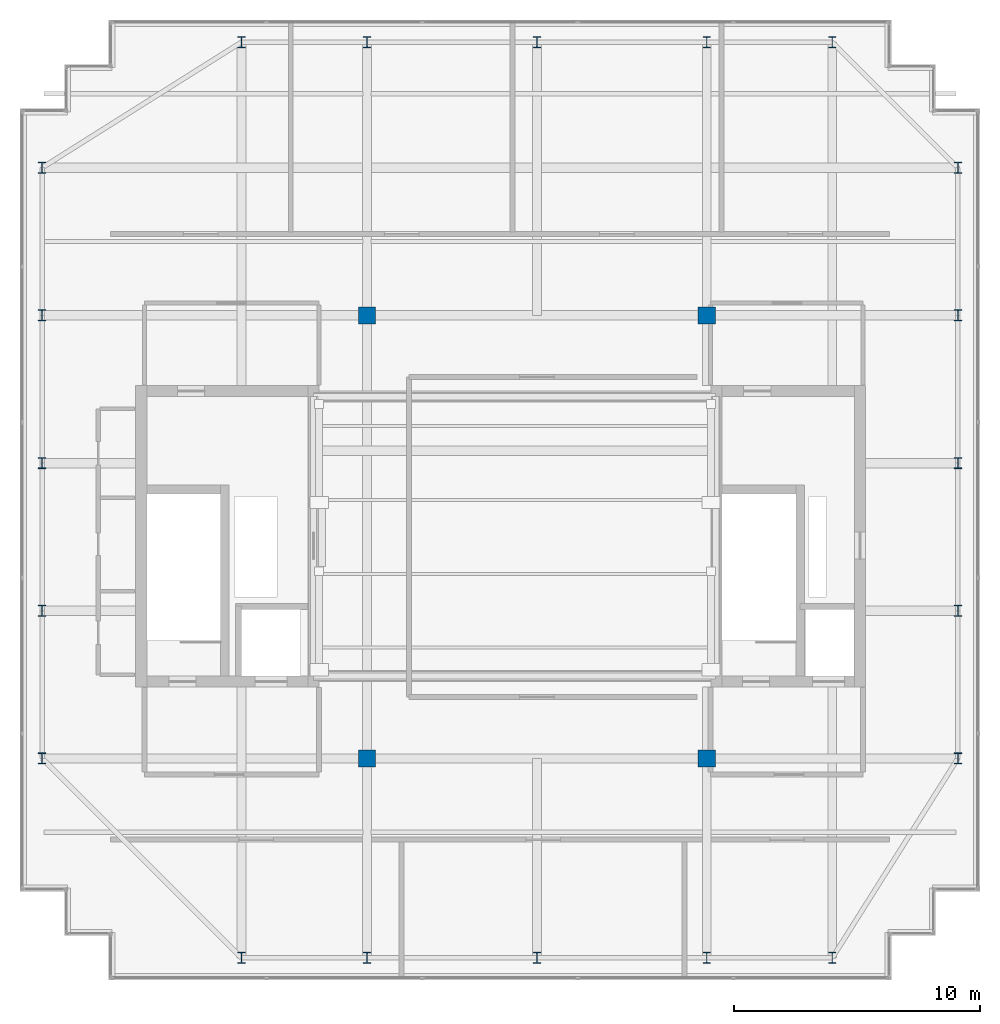
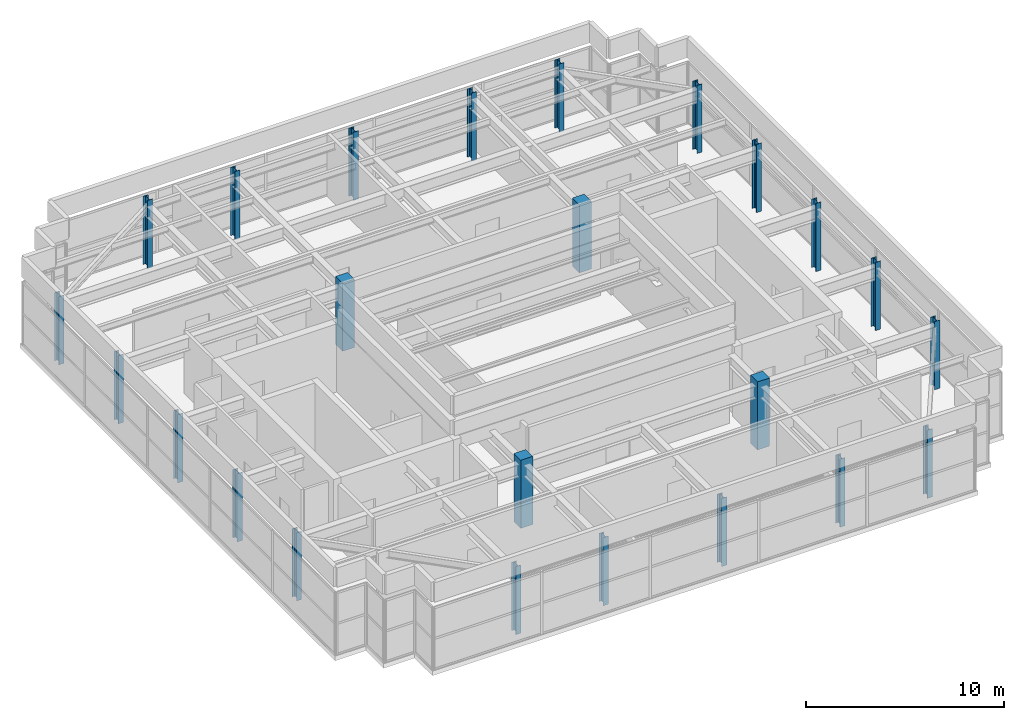
# One storey, part 1 of 33: 24 columns.
"""IFC4 building model written with IfcOpenShell, lengths in metres."""

import ifcopenshell
import ifcopenshell.guid

model = None  # the IFC model being written
_history = None  # IfcOwnerHistory: only IFC2X3 demands one
_inside = {}  # id of a spatial element -> (the spatial element, [elements in it])
_under = {}  # id of a project, library or spatial element -> (it, [spatial elements below it])
_declared = {}  # id of a project -> (the project, [libraries it declares])
_typed = {}  # id of a type object -> (the type object, [elements of that type])
_made_of = {}  # id of a material, layer set ... -> (it, [elements and type objects made of it])


def new_model(schema):
    """Start an empty IFC model of exactly this schema.

    Asked for "IFC4X3", IfcOpenShell would pick the latest addendum, in which some entities
    have other attributes; the version numbers below select the first issue.
    IFC2X3 requires an IfcOwnerHistory on every rooted entity: one is made here for all.
    """
    global model, _history
    if schema == "IFC4X3":
        model = ifcopenshell.file(schema_version=(4, 3, 0, 0))
    else:
        model = ifcopenshell.file(schema=schema)
    _inside.clear()
    _under.clear()
    _declared.clear()
    _typed.clear()
    _made_of.clear()
    _history = None
    if model.schema == "IFC2X3":
        org = make("IfcOrganization", Name="unknown")
        user = make(
            "IfcPersonAndOrganization",
            ThePerson=make("IfcPerson", FamilyName="unknown"),
            TheOrganization=org,
        )
        app = make(
            "IfcApplication",
            ApplicationDeveloper=org,
            Version="unknown",
            ApplicationFullName="unknown",
            ApplicationIdentifier="unknown",
        )
        _history = make(
            "IfcOwnerHistory",
            OwningUser=user,
            OwningApplication=app,
            ChangeAction="ADDED",
            CreationDate=0,
        )
    return model


def make(cls, **values):
    """One entity of the class cls with the attributes given. An attribute that is None is left unset."""
    return model.create_entity(
        cls, **{name: value for name, value in values.items() if value is not None}
    )


def rooted(cls, **values):
    """An entity with a GlobalId (a new one), such as an element, a storey or a relation."""
    return make(cls, GlobalId=ifcopenshell.guid.new(), OwnerHistory=_history, **values)


def si_unit(unit_type, name, prefix=None):
    """IfcSIUnit, for example si_unit("LENGTHUNIT", "METRE", prefix="MILLI")."""
    return make("IfcSIUnit", UnitType=unit_type, Prefix=prefix, Name=name)


def assignment(units):
    """IfcUnitAssignment: the units of a project."""
    return None if units is None else make("IfcUnitAssignment", Units=units)


def point(xyz):
    """IfcCartesianPoint."""
    return None if xyz is None else make("IfcCartesianPoint", Coordinates=xyz)


def direction(xyz):
    """IfcDirection."""
    return None if xyz is None else make("IfcDirection", DirectionRatios=xyz)


def frame(location, z_axis=None, x_axis=None):
    """IfcAxis2Placement3D, a coordinate frame: its origin and axes. An axis left out is left unset."""
    return make(
        "IfcAxis2Placement3D",
        Location=point(location),
        Axis=direction(z_axis),
        RefDirection=direction(x_axis),
    )


def frame_2d(location, x_axis=None):
    """IfcAxis2Placement2D, a coordinate frame in the plane: its origin and x axis."""
    return make(
        "IfcAxis2Placement2D", Location=point(location), RefDirection=direction(x_axis)
    )


def origin():
    """The frame at (0, 0, 0) with its axes left unset."""
    return frame((0.0, 0.0, 0.0))


def origin_2d():
    """The frame at (0, 0) in the plane with its x axis left unset."""
    return frame_2d((0.0, 0.0))


def place(relative_to, where):
    """IfcLocalPlacement: puts the frame where relative to a parent placement (None: the world)."""
    return make(
        "IfcLocalPlacement", PlacementRelTo=relative_to, RelativePlacement=where
    )


def context(
    kind, dimensions, precision=None, world=None, true_north=None, identifier=None
):
    """IfcGeometricRepresentationContext, for example the 3D "Model" context."""
    return make(
        "IfcGeometricRepresentationContext",
        ContextIdentifier=identifier,
        ContextType=kind,
        CoordinateSpaceDimension=dimensions,
        Precision=precision,
        WorldCoordinateSystem=world,
        TrueNorth=true_north,
    )


def subcontext(parent, identifier, kind, view, scale=None):
    """IfcGeometricRepresentationSubContext, for example "Body" below "Model"."""
    return make(
        "IfcGeometricRepresentationSubContext",
        ContextIdentifier=identifier,
        ContextType=kind,
        ParentContext=parent,
        TargetScale=scale,
        TargetView=view,
    )


def project(units=None, contexts=None):
    """IfcProject with its units and contexts."""
    return rooted(
        "IfcProject",
        Name="project",
        RepresentationContexts=contexts,
        UnitsInContext=assignment(units),
    )


def spatial(cls, under=None, at=None, **own):
    """A site, building, storey or space (cls), placed at a placement, below another one or the project."""
    s = rooted(cls, ObjectPlacement=at, **own)
    if under is not None:
        _under.setdefault(under.id(), (under, []))[1].append(s)
    return s


def profile(cls, at=None, kind="AREA", **sizes):
    """A parametric profile (cls). Its sizes go by their IFC names, for example OverallWidth=200.0."""
    return make(cls, ProfileType=kind, Position=at, **sizes)


def rectangle(**sizes):
    """IfcRectangleProfileDef."""
    return profile("IfcRectangleProfileDef", **sizes)


def i_section(**sizes):
    """IfcIShapeProfileDef."""
    return profile("IfcIShapeProfileDef", **sizes)


def extrude(swept, where, along, depth):
    """IfcExtrudedAreaSolid: the profile swept, set in the frame where, extruded along a direction by depth."""
    return make(
        "IfcExtrudedAreaSolid",
        SweptArea=swept,
        Position=where,
        ExtrudedDirection=direction(along),
        Depth=depth,
    )


def shape(context_of_items, identifier, shape_type, items):
    """IfcShapeRepresentation: the items that make up one representation, for example the "Body"."""
    return make(
        "IfcShapeRepresentation",
        ContextOfItems=context_of_items,
        RepresentationIdentifier=identifier,
        RepresentationType=shape_type,
        Items=items,
    )


def source(mapping_origin, context_of_items, identifier, shape_type, items):
    """IfcRepresentationMap: a shape defined once, which mapped items show again and again."""
    return make(
        "IfcRepresentationMap",
        MappingOrigin=mapping_origin,
        MappedRepresentation=shape(context_of_items, identifier, shape_type, items),
    )


def transform(
    local_origin,
    x_axis=None,
    y_axis=None,
    z_axis=None,
    scale=None,
    scale2=None,
    scale3=None,
    uniform=True,
):
    """IfcCartesianTransformationOperator3D, or its non-uniform kind. x_axis, y_axis, z_axis: its Axis1, 2, 3."""
    if uniform:
        return make(
            "IfcCartesianTransformationOperator3D",
            Axis1=direction(x_axis),
            Axis2=direction(y_axis),
            LocalOrigin=point(local_origin),
            Scale=scale,
            Axis3=direction(z_axis),
        )
    return make(
        "IfcCartesianTransformationOperator3DnonUniform",
        Axis1=direction(x_axis),
        Axis2=direction(y_axis),
        LocalOrigin=point(local_origin),
        Scale=scale,
        Axis3=direction(z_axis),
        Scale2=scale2,
        Scale3=scale3,
    )


def mapped(mapping_source, mapping_target):
    """IfcMappedItem: shows the shape of a source again, moved by a transform."""
    return make(
        "IfcMappedItem", MappingSource=mapping_source, MappingTarget=mapping_target
    )


def material(Name=None, Category=None):
    """IfcMaterial."""
    return make("IfcMaterial", Name=Name, Category=Category)


def material_profile(
    of_material, cross_section, Name=None, Category=None, Priority=None
):
    """IfcMaterialProfile: a cross section and its material."""
    return make(
        "IfcMaterialProfile",
        Name=Name,
        Material=of_material,
        Profile=cross_section,
        Priority=Priority,
        Category=Category,
    )


def profile_set(profiles, Name=None, composite=None):
    """IfcMaterialProfileSet."""
    return make(
        "IfcMaterialProfileSet",
        Name=Name,
        MaterialProfiles=profiles,
        CompositeProfile=composite,
    )


def made_of(thing, what):
    """Note that an element or type object is made of a material, layer set ...; save() writes the relation."""
    if what is not None:
        _made_of.setdefault(what.id(), (what, []))[1].append(thing)
    return thing


def type_object(cls, material=None, **own):
    """A type object (cls), such as IfcWallType, which elements share."""
    return made_of(rooted(cls, **own), material)


def element(
    cls,
    number,
    at=None,
    inside=None,
    cuts=None,
    type_object=None,
    material=None,
    context=None,
    identifier="Body",
    shape_type=None,
    held_by="IfcProductDefinitionShape",
    body=None,
    shapes=None,
    **own,
):
    """One element of the class cls, such as IfcWall. Its Tag is "e" and its number.

    at: its placement. inside: the storey or other place that contains it. cuts: it is an
    opening in that element (IfcRelVoidsElement). A single representation is given by context,
    identifier, shape_type and body (its items); several are given by shapes. held_by: the class
    of the entity that holds the representations. save() writes the other relations.
    """
    e = rooted(cls, Tag="e%d" % number, ObjectPlacement=at, **own)
    if body is not None:
        shapes = [shape(context, identifier, shape_type, body)]
    if shapes is not None:
        e.Representation = make(held_by, Representations=shapes)
    if inside is not None:
        _inside.setdefault(inside.id(), (inside, []))[1].append(e)
    if cuts is not None:
        rooted(
            "IfcRelVoidsElement", RelatingBuildingElement=cuts, RelatedOpeningElement=e
        )
    if type_object is not None:
        _typed.setdefault(type_object.id(), (type_object, []))[1].append(e)
    return made_of(e, material)


def aggregate(whole, parts):
    """IfcRelAggregates: a whole, such as a stair, and the parts it consists of."""
    return rooted("IfcRelAggregates", RelatingObject=whole, RelatedObjects=parts)


def save(model, path):
    """Write the relations noted so far, then the file.

    IfcRelAggregates (storeys below a building ...), IfcRelContainedInSpatialStructure (elements
    in a storey), IfcRelDefinesByType, IfcRelAssociatesMaterial and IfcRelDeclares: one each for
    every whole, place, type object, material and project.
    """
    for whole, parts in _under.values():
        aggregate(whole, parts)
    for where, things in _inside.values():
        rooted(
            "IfcRelContainedInSpatialStructure",
            RelatedElements=things,
            RelatingStructure=where,
        )
    for kind, things in _typed.values():
        rooted("IfcRelDefinesByType", RelatedObjects=things, RelatingType=kind)
    for what, things in _made_of.values():
        rooted("IfcRelAssociatesMaterial", RelatedObjects=things, RelatingMaterial=what)
    for by, libraries in _declared.values():
        rooted("IfcRelDeclares", RelatingContext=by, RelatedDefinitions=libraries)
    model.write(path)


model = new_model("IFC4")

# Units and contexts
model_context = context("Model", 3, precision=1e-05, world=origin(), true_north=direction((0.0, 1.0)))
body_context = subcontext(model_context, "Body", "Model", "MODEL_VIEW")
ifc_project = project(units=[si_unit("LENGTHUNIT", "METRE"), si_unit("AREAUNIT", "SQUARE_METRE"), si_unit("VOLUMEUNIT", "CUBIC_METRE"), si_unit("PLANEANGLEUNIT", "RADIAN"), si_unit("MASSUNIT", "GRAM", prefix="KILO")], contexts=[model_context])

# Site, building, storey
site_placement = place(None, origin())
site = spatial("IfcSite", under=ifc_project, at=site_placement, CompositionType="ELEMENT")
building_placement = place(site_placement, origin())
building = spatial("IfcBuilding", under=site, at=building_placement, Name="Khoralis Quay Care Tower", CompositionType="ELEMENT")
storey_placement = place(building_placement, frame((0.0, 0.0, 314.699951171875)))
storey = spatial("IfcBuildingStorey", under=building, at=storey_placement, Name="L82", CompositionType="ELEMENT", Elevation=314.699951171875)

# Columns
ifc_material_1 = material(Name="Concrete C50/60", Category="concrete")
ifc_material_profile_1 = material_profile(ifc_material_1, rectangle(XDim=0.699951171875, YDim=0.699951171875, at=origin_2d()), Name="Concrete C50/60")
ifc_profile_set_1 = profile_set([ifc_material_profile_1], Name="Concrete C50/60")
column_type_1 = type_object("IfcColumnType", Name="COL-C700", PredefinedType="COLUMN", material=ifc_profile_set_1)
shared_shape_1 = source(origin(), body_context, "Body", "SweptSolid", [
    extrude(rectangle(XDim=0.699951171875, YDim=0.699951171875, at=origin_2d()), origin(), (0.0, 0.0, 1.0), 4.199951171875),
])
for number, where, z_axis, x_axis, name in (
    (1, (17.10009765625, 12.0, 0.0), (0.0, 0.0, 1.0), (1.0, 0.0, 0.0), "COL-TWR-L82-21"),
    (2, (17.10009765625, 30.0, 0.0), (0.0, 0.0, 1.0), (1.0, 0.0, 0.0), "COL-TWR-L82-22"),
    (3, (30.89990234375, 12.0, 0.0), (0.0, 0.0, 1.0), (1.0, 0.0, 0.0), "COL-TWR-L82-23"),
    (4, (30.89990234375, 30.0, 0.0), (0.0, 0.0, 1.0), (1.0, 0.0, 0.0), "COL-TWR-L82-24"),
):
    element("IfcColumn", number, at=place(storey_placement, frame(where, z_axis=z_axis, x_axis=x_axis)), inside=storey, type_object=column_type_1, Name=name, PredefinedType="COLUMN", context=body_context, shape_type="MappedRepresentation", body=[
        mapped(shared_shape_1, transform((0.0, 0.0, 0.0), scale=1.0)),
    ])
ifc_material_2 = material(Name="Steel S355", Category="steel")
ifc_material_profile_2 = material_profile(ifc_material_2, i_section(OverallWidth=0.300048828125, OverallDepth=0.449951171875, WebThickness=0.013916015625, FlangeThickness=0.02587890625, FilletRadius=0.027099609375, at=origin_2d()), Name="Steel S355")
ifc_profile_set_2 = profile_set([ifc_material_profile_2], Name="Steel S355")
column_type_2 = type_object("IfcColumnType", Name="COL-LN-HEB450", PredefinedType="COLUMN", material=ifc_profile_set_2)
shared_shape_2 = source(origin(), body_context, "Body", "SweptSolid", [
    extrude(i_section(OverallWidth=0.300048828125, OverallDepth=0.449951171875, WebThickness=0.013916015625, FlangeThickness=0.02587890625, FilletRadius=0.027099609375, at=origin_2d()), origin(), (0.0, 0.0, 1.0), 4.199951171875),
])
for number, where, z_axis, x_axis, name in (
    (5, (12.0, 3.89990234375, 0.0), (0.0, 0.0, 1.0), (1.0, 0.0, 0.0), "COL-TWR-L82-01"),
    (6, (12.0, 41.10009765625, 0.0), (0.0, 0.0, 1.0), (1.0, 0.0, 0.0), "COL-TWR-L82-02"),
    (7, (17.10009765625, 3.89990234375, 0.0), (0.0, 0.0, 1.0), (1.0, 0.0, 0.0), "COL-TWR-L82-03"),
    (8, (17.10009765625, 41.10009765625, 0.0), (0.0, 0.0, 1.0), (1.0, 0.0, 0.0), "COL-TWR-L82-04"),
    (9, (24.0, 3.89990234375, 0.0), (0.0, 0.0, 1.0), (1.0, 0.0, 0.0), "COL-TWR-L82-05"),
    (10, (24.0, 41.10009765625, 0.0), (0.0, 0.0, 1.0), (1.0, 0.0, 0.0), "COL-TWR-L82-06"),
    (11, (30.89990234375, 3.89990234375, 0.0), (0.0, 0.0, 1.0), (1.0, 0.0, 0.0), "COL-TWR-L82-07"),
    (12, (30.89990234375, 41.10009765625, 0.0), (0.0, 0.0, 1.0), (1.0, 0.0, 0.0), "COL-TWR-L82-08"),
    (13, (36.0, 3.89990234375, 0.0), (0.0, 0.0, 1.0), (1.0, 0.0, 0.0), "COL-TWR-L82-09"),
    (14, (36.0, 41.10009765625, 0.0), (0.0, 0.0, 1.0), (1.0, 0.0, 0.0), "COL-TWR-L82-10"),
    (15, (3.89990234375, 12.0, 0.0), (0.0, 0.0, 1.0), (1.0, 0.0, 0.0), "COL-TWR-L82-11"),
    (16, (41.10009765625, 12.0, 0.0), (0.0, 0.0, 1.0), (1.0, 0.0, 0.0), "COL-TWR-L82-12"),
    (17, (3.89990234375, 18.0, 0.0), (0.0, 0.0, 1.0), (1.0, 0.0, 0.0), "COL-TWR-L82-13"),
    (18, (41.10009765625, 18.0, 0.0), (0.0, 0.0, 1.0), (1.0, 0.0, 0.0), "COL-TWR-L82-14"),
    (19, (3.89990234375, 24.0, 0.0), (0.0, 0.0, 1.0), (1.0, 0.0, 0.0), "COL-TWR-L82-15"),
    (20, (41.10009765625, 24.0, 0.0), (0.0, 0.0, 1.0), (1.0, 0.0, 0.0), "COL-TWR-L82-16"),
    (21, (3.89990234375, 30.0, 0.0), (0.0, 0.0, 1.0), (1.0, 0.0, 0.0), "COL-TWR-L82-17"),
    (22, (41.10009765625, 30.0, 0.0), (0.0, 0.0, 1.0), (1.0, 0.0, 0.0), "COL-TWR-L82-18"),
    (23, (3.89990234375, 36.0, 0.0), (0.0, 0.0, 1.0), (1.0, 0.0, 0.0), "COL-TWR-L82-19"),
    (24, (41.10009765625, 36.0, 0.0), (0.0, 0.0, 1.0), (1.0, 0.0, 0.0), "COL-TWR-L82-20"),
):
    element("IfcColumn", number, at=place(storey_placement, frame(where, z_axis=z_axis, x_axis=x_axis)), inside=storey, type_object=column_type_2, Name=name, PredefinedType="COLUMN", context=body_context, shape_type="MappedRepresentation", body=[
        mapped(shared_shape_2, transform((0.0, 0.0, 0.0), scale=1.0)),
    ])

save(model, "model.ifc")
